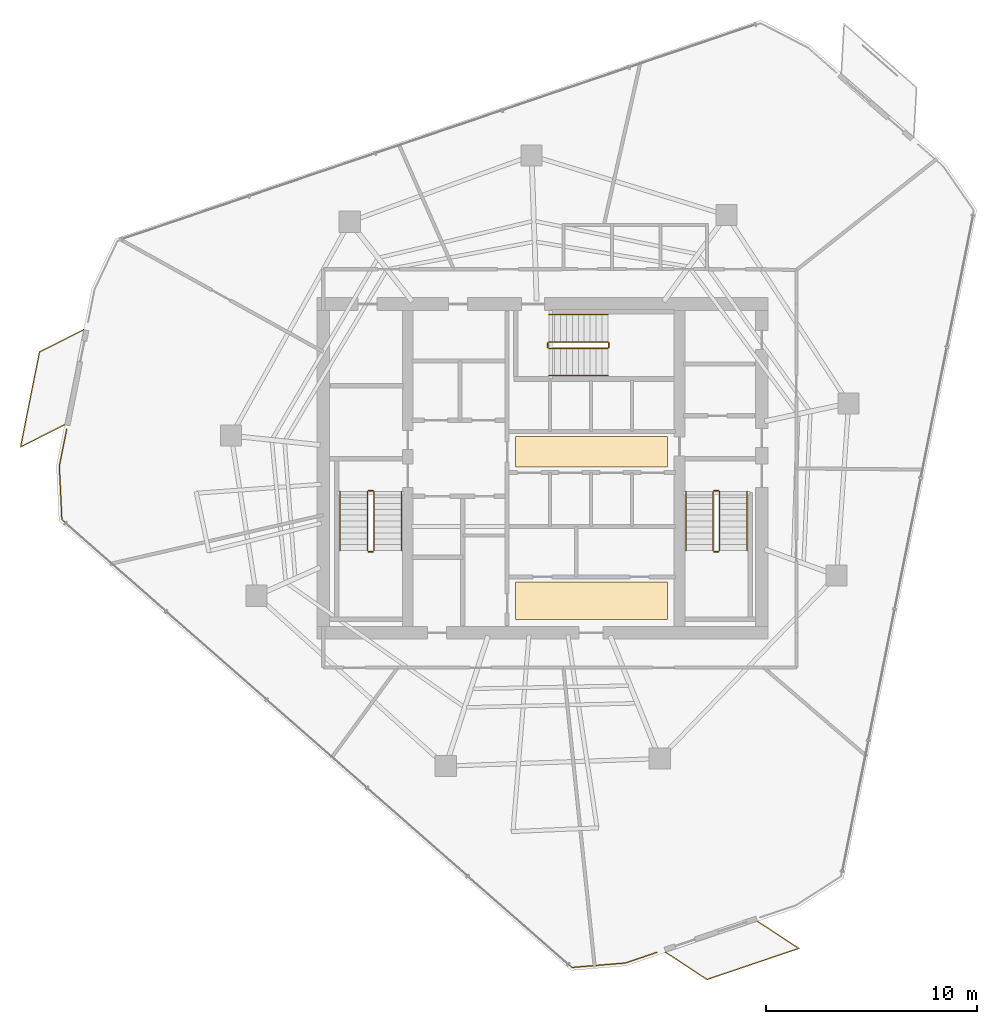
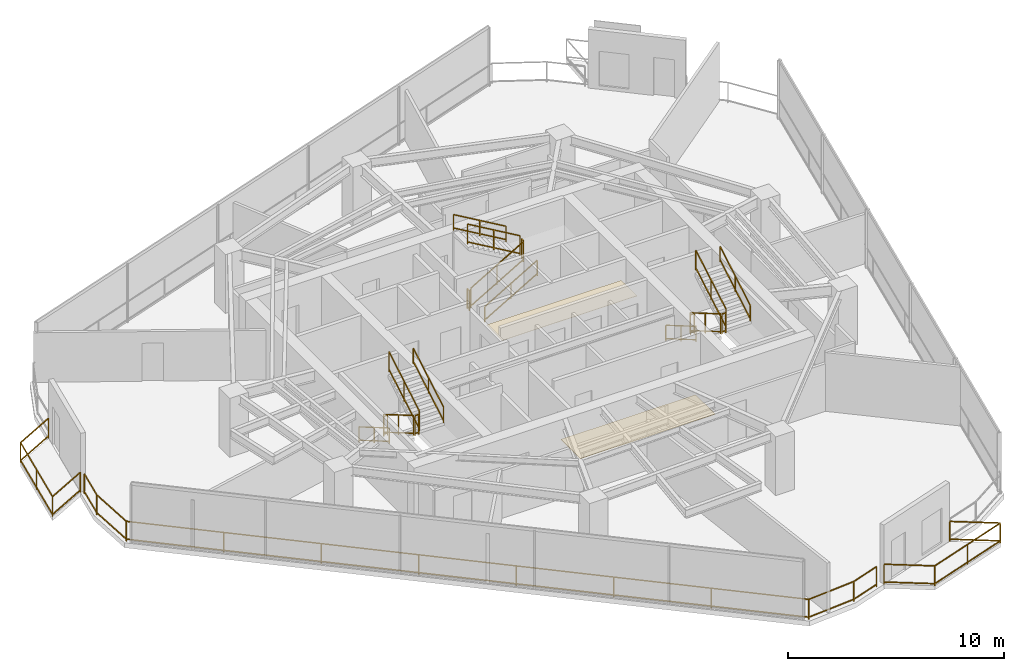
# One storey, part 19 of 20: 21 railings, 2 coverings.
"""IFC4 building model written with IfcOpenShell, lengths in metres."""

from ifc_helpers import new_model, si_unit, direction, frame, origin, origin_2d, place, context, subcontext, project, spatial, rectangle, extrude, material, layer, layer_set, type_object, element, save


model = new_model("IFC4")

# Units and contexts
model_context = context("Model", 3, precision=1e-05, world=origin(), true_north=direction((0.0, 1.0)))
body_context = subcontext(model_context, "Body", "Model", "MODEL_VIEW")
ifc_project = project(units=[si_unit("LENGTHUNIT", "METRE"), si_unit("AREAUNIT", "SQUARE_METRE"), si_unit("VOLUMEUNIT", "CUBIC_METRE"), si_unit("PLANEANGLEUNIT", "RADIAN"), si_unit("MASSUNIT", "GRAM", prefix="KILO")], contexts=[model_context])

# Site, building, storey
site_placement = place(None, origin())
site = spatial("IfcSite", under=ifc_project, at=site_placement, CompositionType="ELEMENT")
building_placement = place(site_placement, origin())
building = spatial("IfcBuilding", under=site, at=building_placement, Name="Qarnah Convention Tower", CompositionType="ELEMENT")
storey_placement = place(building_placement, frame((0.0, 0.0, 136.5)))
storey = spatial("IfcBuildingStorey", under=building, at=storey_placement, Name="L36", CompositionType="ELEMENT", Elevation=136.5)

# Coverings
ifc_material_1 = material(Name="Mineral fibre acoustic ceiling")
ifc_layer_1 = layer(ifc_material_1, 0.02001953125)
ifc_layer_set_1 = layer_set([ifc_layer_1], Name="Mineral fibre acoustic ceiling")
covering_type_1 = type_object("IfcCoveringType", Name="COV-CEIL-20", PredefinedType="CEILING", material=ifc_layer_set_1)
covering_1_placement = place(storey_placement, frame((39.52001953125, 27.179931640625, 2.2900390625), z_axis=(0.0, 0.0, 1.0), x_axis=(1.0, 0.0, 0.0)))
element("IfcCovering", 1, at=covering_1_placement, inside=storey, type_object=covering_type_1, Name="L36 lift lobby acoustic ceiling", PredefinedType="CEILING", context=body_context, shape_type="SweptSolid", body=[
    extrude(rectangle(XDim=7.199951171875, YDim=1.449951171875, at=origin_2d()), origin(), (0.0, 0.0, 1.0), 0.02001953125),
])
ifc_material_2 = material(Name="Porcelain stone floor tile", Category="masonry")
ifc_layer_2 = layer(ifc_material_2, 0.02001953125)
ifc_layer_set_2 = layer_set([ifc_layer_2], Name="Porcelain stone floor tile")
covering_type_2 = type_object("IfcCoveringType", Name="COV-FLOOR-20", PredefinedType="FLOORING", material=ifc_layer_set_2)
covering_2_placement = place(storey_placement, frame((39.52001953125, 20.1201171875, 0.0), z_axis=(0.0, 0.0, 1.0), x_axis=(1.0, 0.0, 0.0)))
element("IfcCovering", 2, at=covering_2_placement, inside=storey, type_object=covering_type_2, Name="L36 lift lobby porcelain stone flooring", PredefinedType="FLOORING", context=body_context, shape_type="SweptSolid", body=[
    extrude(rectangle(XDim=7.199951171875, YDim=1.800048828125, at=origin_2d()), origin(), (0.0, 0.0, 1.0), 0.02001953125),
])

# Railings
ifc_material_3 = material(Name="Black anodised aluminium", Category="aluminium")
railing_type_1 = type_object("IfcRailingType", Name="RL-EXT-GUARD-1150", PredefinedType="GUARDRAIL", material=ifc_material_3)
railing_1_placement = place(storey_placement, frame((42.636962890625, 3.444091796875, 0.0)))
element("IfcRailing", 3, at=railing_1_placement, inside=storey, type_object=railing_type_1, Name="L36 slab-edge perimeter safety guard 03", PredefinedType="GUARDRAIL", context=body_context, shape_type="SweptSolid", body=[
    extrude(rectangle(XDim=0.048095703125, YDim=0.048095703125, at=origin_2d()), frame((0.0, 0.0, 1.1259765625), z_axis=(-0.947107749173, -0.320915738873, 0.0), x_axis=(0.320915738873, -0.947107749173, 0.0)), (0.0, 0.0, 1.0), 1.59228515625),
    extrude(rectangle(XDim=0.048095703125, YDim=0.048095703125, at=origin_2d()), frame((0.0, 0.0, 0.1201171875), z_axis=(-0.947107749173, -0.320915738873, 0.0), x_axis=(0.320915738873, -0.947107749173, 0.0)), (0.0, 0.0, 1.0), 1.59228515625),
    extrude(rectangle(XDim=0.048095703125, YDim=0.048095703125, at=origin_2d()), frame((-1.508056640625, -0.510986328125, 1.1259765625), z_axis=(-0.996581607262, -0.08261416384, 0.0), x_axis=(0.08261416384, -0.996581607262, 0.0)), (0.0, 0.0, 1.0), 2.529541015625),
    extrude(rectangle(XDim=0.048095703125, YDim=0.048095703125, at=origin_2d()), frame((-1.508056640625, -0.510986328125, 0.1201171875), z_axis=(-0.996581607262, -0.08261416384, 0.0), x_axis=(0.08261416384, -0.996581607262, 0.0)), (0.0, 0.0, 1.0), 2.529541015625),
    extrude(rectangle(XDim=0.048095703125, YDim=0.048095703125, at=origin_2d()), frame((-4.029052734375, -0.719970703125, 1.1259765625), z_axis=(-0.751495940926, 0.659737713619, 0.0), x_axis=(-0.659737713619, -0.751495940926, 0.0)), (0.0, 0.0, 1.0), 32.215576171875),
    extrude(rectangle(XDim=0.048095703125, YDim=0.048095703125, at=origin_2d()), frame((-4.029052734375, -0.719970703125, 0.1201171875), z_axis=(-0.751495940926, 0.659737713619, 0.0), x_axis=(-0.659737713619, -0.751495940926, 0.0)), (0.0, 0.0, 1.0), 32.215576171875),
    extrude(rectangle(XDim=0.048095703125, YDim=0.048095703125, at=origin_2d()), frame((-28.239013671875, 20.533935546875, 1.1259765625), z_axis=(-0.047386321634, 0.998876637289, 0.0), x_axis=(-0.998876637289, -0.047386321634, 0.0)), (0.0, 0.0, 1.0), 2.52978515625),
    extrude(rectangle(XDim=0.048095703125, YDim=0.048095703125, at=origin_2d()), frame((-28.239013671875, 20.533935546875, 0.1201171875), z_axis=(-0.047386321634, 0.998876637289, 0.0), x_axis=(-0.998876637289, -0.047386321634, 0.0)), (0.0, 0.0, 1.0), 2.52978515625),
    extrude(rectangle(XDim=0.048095703125, YDim=0.048095703125, at=origin_2d()), frame((-28.35888671875, 23.060791015625, 1.1259765625), z_axis=(0.195048784668, 0.980793541781, 0.0), x_axis=(-0.980793541781, 0.195048784668, 0.0)), (0.0, 0.0, 1.0), 1.8037109375),
    extrude(rectangle(XDim=0.048095703125, YDim=0.048095703125, at=origin_2d()), frame((-28.35888671875, 23.060791015625, 0.1201171875), z_axis=(0.195048784668, 0.980793541781, 0.0), x_axis=(-0.980793541781, 0.195048784668, 0.0)), (0.0, 0.0, 1.0), 1.8037109375),
    extrude(rectangle(XDim=0.0419921875, YDim=0.0419921875, at=origin_2d()), origin(), (0.0, 0.0, 1.0), 1.101806640625),
    extrude(rectangle(XDim=0.0419921875, YDim=0.0419921875, at=origin_2d()), frame((-1.508056640625, -0.510986328125, 0.0)), (0.0, 0.0, 1.0), 1.101806640625),
    extrude(rectangle(XDim=0.0419921875, YDim=0.0419921875, at=origin_2d()), frame((-4.029052734375, -0.719970703125, 0.0)), (0.0, 0.0, 1.0), 1.101806640625),
    extrude(rectangle(XDim=0.0419921875, YDim=0.0419921875, at=origin_2d()), frame((-7.487548828125, 2.31640625, 0.0)), (0.0, 0.0, 1.0), 1.101806640625),
    extrude(rectangle(XDim=0.0419921875, YDim=0.0419921875, at=origin_2d()), frame((-10.9462890625, 5.3525390625, 0.0)), (0.0, 0.0, 1.0), 1.101806640625),
    extrude(rectangle(XDim=0.0419921875, YDim=0.0419921875, at=origin_2d()), frame((-14.40478515625, 8.388916015625, 0.0)), (0.0, 0.0, 1.0), 1.101806640625),
    extrude(rectangle(XDim=0.0419921875, YDim=0.0419921875, at=origin_2d()), frame((-17.86328125, 11.425048828125, 0.0)), (0.0, 0.0, 1.0), 1.101806640625),
    extrude(rectangle(XDim=0.0419921875, YDim=0.0419921875, at=origin_2d()), frame((-21.32177734375, 14.46142578125, 0.0)), (0.0, 0.0, 1.0), 1.101806640625),
    extrude(rectangle(XDim=0.0419921875, YDim=0.0419921875, at=origin_2d()), frame((-24.780517578125, 17.49755859375, 0.0)), (0.0, 0.0, 1.0), 1.101806640625),
    extrude(rectangle(XDim=0.0419921875, YDim=0.0419921875, at=origin_2d()), frame((-28.239013671875, 20.533935546875, 0.0)), (0.0, 0.0, 1.0), 1.101806640625),
    extrude(rectangle(XDim=0.0419921875, YDim=0.0419921875, at=origin_2d()), frame((-28.35888671875, 23.060791015625, 0.0)), (0.0, 0.0, 1.0), 1.101806640625),
    extrude(rectangle(XDim=0.0419921875, YDim=0.0419921875, at=origin_2d()), frame((-28.007080078125, 24.829833984375, 0.0)), (0.0, 0.0, 1.0), 1.101806640625),
])
railing_2_placement = place(storey_placement, frame((14.531982421875, 28.470947265625, 0.0)))
element("IfcRailing", 4, at=railing_2_placement, inside=storey, type_object=railing_type_1, Name="L36 balcony safety guard BAL-L36-C2", PredefinedType="GUARDRAIL", context=body_context, shape_type="SweptSolid", body=[
    extrude(rectangle(XDim=0.048095703125, YDim=0.048095703125, at=origin_2d()), frame((0.0, 0.0, 1.1259765625), z_axis=(-0.893154935619, -0.449749108925, 0.0), x_axis=(0.449749108925, -0.893154935619, 0.0)), (0.0, 0.0, 1.0), 2.34765625),
    extrude(rectangle(XDim=0.048095703125, YDim=0.048095703125, at=origin_2d()), frame((0.0, 0.0, 0.1201171875), z_axis=(-0.893154935619, -0.449749108925, 0.0), x_axis=(0.449749108925, -0.893154935619, 0.0)), (0.0, 0.0, 1.0), 2.34765625),
    extrude(rectangle(XDim=0.048095703125, YDim=0.048095703125, at=origin_2d()), frame((-2.096923828125, -1.055908203125, 1.1259765625), z_axis=(0.195595667439, 0.980684625595, 0.0), x_axis=(-0.980684625595, 0.195595667439, 0.0)), (0.0, 0.0, 1.0), 4.600830078125),
    extrude(rectangle(XDim=0.048095703125, YDim=0.048095703125, at=origin_2d()), frame((-2.096923828125, -1.055908203125, 0.1201171875), z_axis=(0.195595667439, 0.980684625595, 0.0), x_axis=(-0.980684625595, 0.195595667439, 0.0)), (0.0, 0.0, 1.0), 4.600830078125),
    extrude(rectangle(XDim=0.048095703125, YDim=0.048095703125, at=origin_2d()), frame((-1.197021484375, 3.4560546875, 1.1259765625), z_axis=(0.89332199169, 0.449417199452, 0.0), x_axis=(-0.449417199452, 0.89332199169, 0.0)), (0.0, 0.0, 1.0), 2.347412109375),
    extrude(rectangle(XDim=0.048095703125, YDim=0.048095703125, at=origin_2d()), frame((-1.197021484375, 3.4560546875, 0.1201171875), z_axis=(0.89332199169, 0.449417199452, 0.0), x_axis=(-0.449417199452, 0.89332199169, 0.0)), (0.0, 0.0, 1.0), 2.347412109375),
    extrude(rectangle(XDim=0.0419921875, YDim=0.0419921875, at=origin_2d()), origin(), (0.0, 0.0, 1.0), 1.101806640625),
    extrude(rectangle(XDim=0.0419921875, YDim=0.0419921875, at=origin_2d()), frame((-2.096923828125, -1.055908203125, 0.0)), (0.0, 0.0, 1.0), 1.101806640625),
    extrude(rectangle(XDim=0.0419921875, YDim=0.0419921875, at=origin_2d()), frame((-1.64697265625, 1.2001953125, 0.0)), (0.0, 0.0, 1.0), 1.101806640625),
    extrude(rectangle(XDim=0.0419921875, YDim=0.0419921875, at=origin_2d()), frame((-1.197021484375, 3.4560546875, 0.0)), (0.0, 0.0, 1.0), 1.101806640625),
    extrude(rectangle(XDim=0.0419921875, YDim=0.0419921875, at=origin_2d()), frame((0.89990234375, 4.510986328125, 0.0)), (0.0, 0.0, 1.0), 1.101806640625),
])
railing_3_placement = place(storey_placement, frame((47.402099609375, 4.916015625, 0.0)))
element("IfcRailing", 5, at=railing_3_placement, inside=storey, type_object=railing_type_1, Name="L36 balcony safety guard BAL-L36-C3", PredefinedType="GUARDRAIL", context=body_context, shape_type="SweptSolid", body=[
    extrude(rectangle(XDim=0.048095703125, YDim=0.048095703125, at=origin_2d()), frame((0.0, 0.0, 1.1259765625), z_axis=(0.835869034479, -0.548928918166, 0.0), x_axis=(0.548928918166, 0.835869034479, 0.0)), (0.0, 0.0, 1.0), 2.348388671875),
    extrude(rectangle(XDim=0.048095703125, YDim=0.048095703125, at=origin_2d()), frame((0.0, 0.0, 0.1201171875), z_axis=(0.835869034479, -0.548928918166, 0.0), x_axis=(0.548928918166, 0.835869034479, 0.0)), (0.0, 0.0, 1.0), 2.348388671875),
    extrude(rectangle(XDim=0.048095703125, YDim=0.048095703125, at=origin_2d()), frame((1.962890625, -1.2890625, 1.1259765625), z_axis=(-0.947122205073, -0.320873072502, 0.0), x_axis=(0.320873072502, -0.947122205073, 0.0)), (0.0, 0.0, 1.0), 4.60009765625),
    extrude(rectangle(XDim=0.048095703125, YDim=0.048095703125, at=origin_2d()), frame((1.962890625, -1.2890625, 0.1201171875), z_axis=(-0.947122205073, -0.320873072502, 0.0), x_axis=(0.320873072502, -0.947122205073, 0.0)), (0.0, 0.0, 1.0), 4.60009765625),
    extrude(rectangle(XDim=0.048095703125, YDim=0.048095703125, at=origin_2d()), frame((-2.39404296875, -2.76513671875, 1.1259765625), z_axis=(-0.83609113207, 0.548590574904, 0.0), x_axis=(-0.548590574904, -0.83609113207, 0.0)), (0.0, 0.0, 1.0), 2.347900390625),
    extrude(rectangle(XDim=0.048095703125, YDim=0.048095703125, at=origin_2d()), frame((-2.39404296875, -2.76513671875, 0.1201171875), z_axis=(-0.83609113207, 0.548590574904, 0.0), x_axis=(-0.548590574904, -0.83609113207, 0.0)), (0.0, 0.0, 1.0), 2.347900390625),
    extrude(rectangle(XDim=0.0419921875, YDim=0.0419921875, at=origin_2d()), origin(), (0.0, 0.0, 1.0), 1.101806640625),
    extrude(rectangle(XDim=0.0419921875, YDim=0.0419921875, at=origin_2d()), frame((1.962890625, -1.2890625, 0.0)), (0.0, 0.0, 1.0), 1.101806640625),
    extrude(rectangle(XDim=0.0419921875, YDim=0.0419921875, at=origin_2d()), frame((-0.215576171875, -2.027099609375, 0.0)), (0.0, 0.0, 1.0), 1.101806640625),
    extrude(rectangle(XDim=0.0419921875, YDim=0.0419921875, at=origin_2d()), frame((-2.39404296875, -2.76513671875, 0.0)), (0.0, 0.0, 1.0), 1.101806640625),
    extrude(rectangle(XDim=0.0419921875, YDim=0.0419921875, at=origin_2d()), frame((-4.357177734375, -1.47705078125, 0.0)), (0.0, 0.0, 1.0), 1.101806640625),
])
ifc_material_4 = material(Name="Structural steel S355JR", Category="steel")
railing_type_2 = type_object("IfcRailingType", Name="RL-STAIR-GUARD-1150", PredefinedType="GUARDRAIL", material=ifc_material_4)
railing_4_placement = place(storey_placement, frame((28.89990234375, 25.300048828125, 0.16357421875)))
element("IfcRailing", 6, at=railing_4_placement, inside=storey, type_object=railing_type_2, Name="L36 ST-1 stair guard 1", PredefinedType="GUARDRAIL", context=body_context, shape_type="SweptSolid", body=[
    extrude(rectangle(XDim=0.048095703125, YDim=0.048095703125, at=origin_2d()), frame((0.0, 0.0, 1.1259765625), z_axis=(0.0, -0.863360870873, 0.504586966384), x_axis=(1.0, 0.0, 0.0)), (0.0, 0.0, 1.0), 3.2431640625),
    extrude(rectangle(XDim=0.048095703125, YDim=0.048095703125, at=origin_2d()), frame((0.0, 0.0, 0.1201171875), z_axis=(0.0, -0.863360870873, 0.504586966384), x_axis=(1.0, 0.0, 0.0)), (0.0, 0.0, 1.0), 3.2431640625),
    extrude(rectangle(XDim=0.0419921875, YDim=0.0419921875, at=origin_2d()), origin(), (0.0, 0.0, 1.0), 1.101806640625),
    extrude(rectangle(XDim=0.0419921875, YDim=0.0419921875, at=origin_2d()), frame((0.0, -1.39990234375, 0.818359375)), (0.0, 0.0, 1.0), 1.101806640625),
    extrude(rectangle(XDim=0.0419921875, YDim=0.0419921875, at=origin_2d()), frame((0.0, -2.800048828125, 1.636474609375)), (0.0, 0.0, 1.0), 1.101806640625),
])
railing_5_placement = place(storey_placement, frame((28.949951171875, 22.449951171875, 1.800048828125)))
element("IfcRailing", 7, at=railing_5_placement, inside=storey, type_object=railing_type_2, Name="L36 ST-1 stair guard 2", PredefinedType="GUARDRAIL", context=body_context, shape_type="SweptSolid", body=[
    extrude(rectangle(XDim=0.048095703125, YDim=0.048095703125, at=origin_2d()), frame((0.0, 0.0, 1.1259765625), z_axis=(1.0, 0.0, 0.0), x_axis=(0.0, 1.0, 0.0)), (0.0, 0.0, 1.0), 0.199951171875),
    extrude(rectangle(XDim=0.048095703125, YDim=0.048095703125, at=origin_2d()), frame((0.0, 0.0, 0.1201171875), z_axis=(1.0, 0.0, 0.0), x_axis=(0.0, 1.0, 0.0)), (0.0, 0.0, 1.0), 0.199951171875),
    extrude(rectangle(XDim=0.0419921875, YDim=0.0419921875, at=origin_2d()), origin(), (0.0, 0.0, 1.0), 1.101806640625),
    extrude(rectangle(XDim=0.0419921875, YDim=0.0419921875, at=origin_2d()), frame((0.199951171875, 0.0, 0.0)), (0.0, 0.0, 1.0), 1.101806640625),
])
railing_6_placement = place(storey_placement, frame((29.199951171875, 22.5, 1.963623046875)))
element("IfcRailing", 8, at=railing_6_placement, inside=storey, type_object=railing_type_2, Name="L36 ST-1 stair guard 3", PredefinedType="GUARDRAIL", context=body_context, shape_type="SweptSolid", body=[
    extrude(rectangle(XDim=0.048095703125, YDim=0.048095703125, at=origin_2d()), frame((0.0, 0.0, 1.1259765625), z_axis=(0.0, 0.863360870873, 0.504586966384), x_axis=(-1.0, 0.0, 0.0)), (0.0, 0.0, 1.0), 3.2431640625),
    extrude(rectangle(XDim=0.048095703125, YDim=0.048095703125, at=origin_2d()), frame((0.0, 0.0, 0.1201171875), z_axis=(0.0, 0.863360870873, 0.504586966384), x_axis=(-1.0, 0.0, 0.0)), (0.0, 0.0, 1.0), 3.2431640625),
    extrude(rectangle(XDim=0.0419921875, YDim=0.0419921875, at=origin_2d()), origin(), (0.0, 0.0, 1.0), 1.101806640625),
    extrude(rectangle(XDim=0.0419921875, YDim=0.0419921875, at=origin_2d()), frame((0.0, 1.39990234375, 0.818359375)), (0.0, 0.0, 1.0), 1.101806640625),
    extrude(rectangle(XDim=0.0419921875, YDim=0.0419921875, at=origin_2d()), frame((0.0, 2.800048828125, 1.636474609375)), (0.0, 0.0, 1.0), 1.101806640625),
])
railing_7_placement = place(storey_placement, frame((28.949951171875, 25.35009765625, 0.0)))
element("IfcRailing", 9, at=railing_7_placement, inside=storey, type_object=railing_type_2, Name="L36 ST-1 stair guard 4", PredefinedType="GUARDRAIL", context=body_context, shape_type="SweptSolid", body=[
    extrude(rectangle(XDim=0.048095703125, YDim=0.048095703125, at=origin_2d()), frame((0.0, 0.0, 1.1259765625), z_axis=(1.0, 0.0, 0.0), x_axis=(0.0, 1.0, 0.0)), (0.0, 0.0, 1.0), 0.199951171875),
    extrude(rectangle(XDim=0.048095703125, YDim=0.048095703125, at=origin_2d()), frame((0.0, 0.0, 0.1201171875), z_axis=(1.0, 0.0, 0.0), x_axis=(0.0, 1.0, 0.0)), (0.0, 0.0, 1.0), 0.199951171875),
    extrude(rectangle(XDim=0.0419921875, YDim=0.0419921875, at=origin_2d()), origin(), (0.0, 0.0, 1.0), 1.101806640625),
    extrude(rectangle(XDim=0.0419921875, YDim=0.0419921875, at=origin_2d()), frame((0.199951171875, 0.0, 0.0)), (0.0, 0.0, 1.0), 1.101806640625),
])
railing_8_placement = place(storey_placement, frame((45.300048828125, 25.300048828125, 0.16357421875)))
element("IfcRailing", 10, at=railing_8_placement, inside=storey, type_object=railing_type_2, Name="L36 ST-2 stair guard 1", PredefinedType="GUARDRAIL", context=body_context, shape_type="SweptSolid", body=[
    extrude(rectangle(XDim=0.048095703125, YDim=0.048095703125, at=origin_2d()), frame((0.0, 0.0, 1.1259765625), z_axis=(0.0, -0.863360870873, 0.504586966384), x_axis=(1.0, 0.0, 0.0)), (0.0, 0.0, 1.0), 3.2431640625),
    extrude(rectangle(XDim=0.048095703125, YDim=0.048095703125, at=origin_2d()), frame((0.0, 0.0, 0.1201171875), z_axis=(0.0, -0.863360870873, 0.504586966384), x_axis=(1.0, 0.0, 0.0)), (0.0, 0.0, 1.0), 3.2431640625),
    extrude(rectangle(XDim=0.0419921875, YDim=0.0419921875, at=origin_2d()), origin(), (0.0, 0.0, 1.0), 1.101806640625),
    extrude(rectangle(XDim=0.0419921875, YDim=0.0419921875, at=origin_2d()), frame((0.0, -1.39990234375, 0.818359375)), (0.0, 0.0, 1.0), 1.101806640625),
    extrude(rectangle(XDim=0.0419921875, YDim=0.0419921875, at=origin_2d()), frame((0.0, -2.800048828125, 1.636474609375)), (0.0, 0.0, 1.0), 1.101806640625),
])
railing_9_placement = place(storey_placement, frame((45.35009765625, 22.449951171875, 1.800048828125)))
element("IfcRailing", 11, at=railing_9_placement, inside=storey, type_object=railing_type_2, Name="L36 ST-2 stair guard 2", PredefinedType="GUARDRAIL", context=body_context, shape_type="SweptSolid", body=[
    extrude(rectangle(XDim=0.048095703125, YDim=0.048095703125, at=origin_2d()), frame((0.0, 0.0, 1.1259765625), z_axis=(1.0, 0.0, 0.0), x_axis=(0.0, 1.0, 0.0)), (0.0, 0.0, 1.0), 0.199951171875),
    extrude(rectangle(XDim=0.048095703125, YDim=0.048095703125, at=origin_2d()), frame((0.0, 0.0, 0.1201171875), z_axis=(1.0, 0.0, 0.0), x_axis=(0.0, 1.0, 0.0)), (0.0, 0.0, 1.0), 0.199951171875),
    extrude(rectangle(XDim=0.0419921875, YDim=0.0419921875, at=origin_2d()), origin(), (0.0, 0.0, 1.0), 1.101806640625),
    extrude(rectangle(XDim=0.0419921875, YDim=0.0419921875, at=origin_2d()), frame((0.199951171875, 0.0, 0.0)), (0.0, 0.0, 1.0), 1.101806640625),
])
railing_10_placement = place(storey_placement, frame((45.60009765625, 22.5, 1.963623046875)))
element("IfcRailing", 12, at=railing_10_placement, inside=storey, type_object=railing_type_2, Name="L36 ST-2 stair guard 3", PredefinedType="GUARDRAIL", context=body_context, shape_type="SweptSolid", body=[
    extrude(rectangle(XDim=0.048095703125, YDim=0.048095703125, at=origin_2d()), frame((0.0, 0.0, 1.1259765625), z_axis=(0.0, 0.863360870873, 0.504586966384), x_axis=(-1.0, 0.0, 0.0)), (0.0, 0.0, 1.0), 3.2431640625),
    extrude(rectangle(XDim=0.048095703125, YDim=0.048095703125, at=origin_2d()), frame((0.0, 0.0, 0.1201171875), z_axis=(0.0, 0.863360870873, 0.504586966384), x_axis=(-1.0, 0.0, 0.0)), (0.0, 0.0, 1.0), 3.2431640625),
    extrude(rectangle(XDim=0.0419921875, YDim=0.0419921875, at=origin_2d()), origin(), (0.0, 0.0, 1.0), 1.101806640625),
    extrude(rectangle(XDim=0.0419921875, YDim=0.0419921875, at=origin_2d()), frame((0.0, 1.39990234375, 0.818359375)), (0.0, 0.0, 1.0), 1.101806640625),
    extrude(rectangle(XDim=0.0419921875, YDim=0.0419921875, at=origin_2d()), frame((0.0, 2.800048828125, 1.636474609375)), (0.0, 0.0, 1.0), 1.101806640625),
])
railing_11_placement = place(storey_placement, frame((45.35009765625, 25.35009765625, 0.0)))
element("IfcRailing", 13, at=railing_11_placement, inside=storey, type_object=railing_type_2, Name="L36 ST-2 stair guard 4", PredefinedType="GUARDRAIL", context=body_context, shape_type="SweptSolid", body=[
    extrude(rectangle(XDim=0.048095703125, YDim=0.048095703125, at=origin_2d()), frame((0.0, 0.0, 1.1259765625), z_axis=(1.0, 0.0, 0.0), x_axis=(0.0, 1.0, 0.0)), (0.0, 0.0, 1.0), 0.199951171875),
    extrude(rectangle(XDim=0.048095703125, YDim=0.048095703125, at=origin_2d()), frame((0.0, 0.0, 0.1201171875), z_axis=(1.0, 0.0, 0.0), x_axis=(0.0, 1.0, 0.0)), (0.0, 0.0, 1.0), 0.199951171875),
    extrude(rectangle(XDim=0.0419921875, YDim=0.0419921875, at=origin_2d()), origin(), (0.0, 0.0, 1.0), 1.101806640625),
    extrude(rectangle(XDim=0.0419921875, YDim=0.0419921875, at=origin_2d()), frame((0.199951171875, 0.0, 0.0)), (0.0, 0.0, 1.0), 1.101806640625),
])
railing_12_placement = place(storey_placement, frame((37.5, 32.10009765625, 0.16357421875)))
element("IfcRailing", 14, at=railing_12_placement, inside=storey, type_object=railing_type_2, Name="L36 ST-3 stair guard 1", PredefinedType="GUARDRAIL", context=body_context, shape_type="SweptSolid", body=[
    extrude(rectangle(XDim=0.048095703125, YDim=0.048095703125, at=origin_2d()), frame((0.0, 0.0, 1.1259765625), z_axis=(0.863360870873, 0.0, 0.504586966384), x_axis=(0.0, 1.0, 0.0)), (0.0, 0.0, 1.0), 3.2431640625),
    extrude(rectangle(XDim=0.048095703125, YDim=0.048095703125, at=origin_2d()), frame((0.0, 0.0, 0.1201171875), z_axis=(0.863360870873, 0.0, 0.504586966384), x_axis=(0.0, 1.0, 0.0)), (0.0, 0.0, 1.0), 3.2431640625),
    extrude(rectangle(XDim=0.0419921875, YDim=0.0419921875, at=origin_2d()), origin(), (0.0, 0.0, 1.0), 1.101806640625),
    extrude(rectangle(XDim=0.0419921875, YDim=0.0419921875, at=origin_2d()), frame((1.39990234375, 0.0, 0.818359375)), (0.0, 0.0, 1.0), 1.101806640625),
    extrude(rectangle(XDim=0.0419921875, YDim=0.0419921875, at=origin_2d()), frame((2.800048828125, 0.0, 1.636474609375)), (0.0, 0.0, 1.0), 1.101806640625),
])
railing_13_placement = place(storey_placement, frame((40.35009765625, 32.14990234375, 1.800048828125)))
element("IfcRailing", 15, at=railing_13_placement, inside=storey, type_object=railing_type_2, Name="L36 ST-3 stair guard 2", PredefinedType="GUARDRAIL", context=body_context, shape_type="SweptSolid", body=[
    extrude(rectangle(XDim=0.048095703125, YDim=0.048095703125, at=origin_2d()), frame((0.0, 0.0, 1.1259765625), z_axis=(0.0, 1.0, 0.0), x_axis=(-1.0, 0.0, 0.0)), (0.0, 0.0, 1.0), 0.2001953125),
    extrude(rectangle(XDim=0.048095703125, YDim=0.048095703125, at=origin_2d()), frame((0.0, 0.0, 0.1201171875), z_axis=(0.0, 1.0, 0.0), x_axis=(-1.0, 0.0, 0.0)), (0.0, 0.0, 1.0), 0.2001953125),
    extrude(rectangle(XDim=0.0419921875, YDim=0.0419921875, at=origin_2d()), origin(), (0.0, 0.0, 1.0), 1.101806640625),
    extrude(rectangle(XDim=0.0419921875, YDim=0.0419921875, at=origin_2d()), frame((0.0, 0.2001953125, 0.0)), (0.0, 0.0, 1.0), 1.101806640625),
])
railing_14_placement = place(storey_placement, frame((40.300048828125, 32.39990234375, 1.963623046875)))
element("IfcRailing", 16, at=railing_14_placement, inside=storey, type_object=railing_type_2, Name="L36 ST-3 stair guard 3", PredefinedType="GUARDRAIL", context=body_context, shape_type="SweptSolid", body=[
    extrude(rectangle(XDim=0.048095703125, YDim=0.048095703125, at=origin_2d()), frame((0.0, 0.0, 1.1259765625), z_axis=(-0.863360870873, 0.0, 0.504586966384), x_axis=(0.0, -1.0, 0.0)), (0.0, 0.0, 1.0), 3.2431640625),
    extrude(rectangle(XDim=0.048095703125, YDim=0.048095703125, at=origin_2d()), frame((0.0, 0.0, 0.1201171875), z_axis=(-0.863360870873, 0.0, 0.504586966384), x_axis=(0.0, -1.0, 0.0)), (0.0, 0.0, 1.0), 3.2431640625),
    extrude(rectangle(XDim=0.0419921875, YDim=0.0419921875, at=origin_2d()), origin(), (0.0, 0.0, 1.0), 1.101806640625),
    extrude(rectangle(XDim=0.0419921875, YDim=0.0419921875, at=origin_2d()), frame((-1.39990234375, 0.0, 0.818359375)), (0.0, 0.0, 1.0), 1.101806640625),
    extrude(rectangle(XDim=0.0419921875, YDim=0.0419921875, at=origin_2d()), frame((-2.800048828125, 0.0, 1.636474609375)), (0.0, 0.0, 1.0), 1.101806640625),
])
railing_15_placement = place(storey_placement, frame((37.449951171875, 32.14990234375, 0.0)))
element("IfcRailing", 17, at=railing_15_placement, inside=storey, type_object=railing_type_2, Name="L36 ST-3 stair guard 4", PredefinedType="GUARDRAIL", context=body_context, shape_type="SweptSolid", body=[
    extrude(rectangle(XDim=0.048095703125, YDim=0.048095703125, at=origin_2d()), frame((0.0, 0.0, 1.1259765625), z_axis=(0.0, 1.0, 0.0), x_axis=(-1.0, 0.0, 0.0)), (0.0, 0.0, 1.0), 0.2001953125),
    extrude(rectangle(XDim=0.048095703125, YDim=0.048095703125, at=origin_2d()), frame((0.0, 0.0, 0.1201171875), z_axis=(0.0, 1.0, 0.0), x_axis=(-1.0, 0.0, 0.0)), (0.0, 0.0, 1.0), 0.2001953125),
    extrude(rectangle(XDim=0.0419921875, YDim=0.0419921875, at=origin_2d()), origin(), (0.0, 0.0, 1.0), 1.101806640625),
    extrude(rectangle(XDim=0.0419921875, YDim=0.0419921875, at=origin_2d()), frame((0.0, 0.2001953125, 0.0)), (0.0, 0.0, 1.0), 1.101806640625),
])
railing_type_3 = type_object("IfcRailingType", Name="RL-STAIR-HAND-900", PredefinedType="HANDRAIL", material=ifc_material_4)
railing_16_placement = place(storey_placement, frame((27.60009765625, 25.300048828125, 0.16357421875)))
element("IfcRailing", 18, at=railing_16_placement, inside=storey, type_object=railing_type_3, Name="L36 ST-1 stair handrail 1", PredefinedType="HANDRAIL", context=body_context, shape_type="SweptSolid", body=[
    extrude(rectangle(XDim=0.048095703125, YDim=0.048095703125, at=origin_2d()), frame((0.0, 0.0, 0.8759765625), z_axis=(0.0, -0.863360870873, 0.504586966384), x_axis=(1.0, 0.0, 0.0)), (0.0, 0.0, 1.0), 3.2431640625),
    extrude(rectangle(XDim=0.048095703125, YDim=0.048095703125, at=origin_2d()), frame((0.0, 0.0, 0.1201171875), z_axis=(0.0, -0.863360870873, 0.504586966384), x_axis=(1.0, 0.0, 0.0)), (0.0, 0.0, 1.0), 3.2431640625),
    extrude(rectangle(XDim=0.0419921875, YDim=0.0419921875, at=origin_2d()), origin(), (0.0, 0.0, 1.0), 0.851806640625),
    extrude(rectangle(XDim=0.0419921875, YDim=0.0419921875, at=origin_2d()), frame((0.0, -1.39990234375, 0.818359375)), (0.0, 0.0, 1.0), 0.851806640625),
    extrude(rectangle(XDim=0.0419921875, YDim=0.0419921875, at=origin_2d()), frame((0.0, -2.800048828125, 1.636474609375)), (0.0, 0.0, 1.0), 0.851806640625),
])
railing_17_placement = place(storey_placement, frame((30.5, 22.5, 1.963623046875)))
element("IfcRailing", 19, at=railing_17_placement, inside=storey, type_object=railing_type_3, Name="L36 ST-1 stair handrail 2", PredefinedType="HANDRAIL", context=body_context, shape_type="SweptSolid", body=[
    extrude(rectangle(XDim=0.048095703125, YDim=0.048095703125, at=origin_2d()), frame((0.0, 0.0, 0.8759765625), z_axis=(0.0, 0.863360870873, 0.504586966384), x_axis=(-1.0, 0.0, 0.0)), (0.0, 0.0, 1.0), 3.2431640625),
    extrude(rectangle(XDim=0.048095703125, YDim=0.048095703125, at=origin_2d()), frame((0.0, 0.0, 0.1201171875), z_axis=(0.0, 0.863360870873, 0.504586966384), x_axis=(-1.0, 0.0, 0.0)), (0.0, 0.0, 1.0), 3.2431640625),
    extrude(rectangle(XDim=0.0419921875, YDim=0.0419921875, at=origin_2d()), origin(), (0.0, 0.0, 1.0), 0.851806640625),
    extrude(rectangle(XDim=0.0419921875, YDim=0.0419921875, at=origin_2d()), frame((0.0, 1.39990234375, 0.818359375)), (0.0, 0.0, 1.0), 0.851806640625),
    extrude(rectangle(XDim=0.0419921875, YDim=0.0419921875, at=origin_2d()), frame((0.0, 2.800048828125, 1.636474609375)), (0.0, 0.0, 1.0), 0.851806640625),
])
railing_18_placement = place(storey_placement, frame((44.0, 25.300048828125, 0.16357421875)))
element("IfcRailing", 20, at=railing_18_placement, inside=storey, type_object=railing_type_3, Name="L36 ST-2 stair handrail 1", PredefinedType="HANDRAIL", context=body_context, shape_type="SweptSolid", body=[
    extrude(rectangle(XDim=0.048095703125, YDim=0.048095703125, at=origin_2d()), frame((0.0, 0.0, 0.8759765625), z_axis=(0.0, -0.863360870873, 0.504586966384), x_axis=(1.0, 0.0, 0.0)), (0.0, 0.0, 1.0), 3.2431640625),
    extrude(rectangle(XDim=0.048095703125, YDim=0.048095703125, at=origin_2d()), frame((0.0, 0.0, 0.1201171875), z_axis=(0.0, -0.863360870873, 0.504586966384), x_axis=(1.0, 0.0, 0.0)), (0.0, 0.0, 1.0), 3.2431640625),
    extrude(rectangle(XDim=0.0419921875, YDim=0.0419921875, at=origin_2d()), origin(), (0.0, 0.0, 1.0), 0.851806640625),
    extrude(rectangle(XDim=0.0419921875, YDim=0.0419921875, at=origin_2d()), frame((0.0, -1.39990234375, 0.818359375)), (0.0, 0.0, 1.0), 0.851806640625),
    extrude(rectangle(XDim=0.0419921875, YDim=0.0419921875, at=origin_2d()), frame((0.0, -2.800048828125, 1.636474609375)), (0.0, 0.0, 1.0), 0.851806640625),
])
railing_19_placement = place(storey_placement, frame((46.89990234375, 22.5, 1.963623046875)))
element("IfcRailing", 21, at=railing_19_placement, inside=storey, type_object=railing_type_3, Name="L36 ST-2 stair handrail 2", PredefinedType="HANDRAIL", context=body_context, shape_type="SweptSolid", body=[
    extrude(rectangle(XDim=0.048095703125, YDim=0.048095703125, at=origin_2d()), frame((0.0, 0.0, 0.8759765625), z_axis=(0.0, 0.863360870873, 0.504586966384), x_axis=(-1.0, 0.0, 0.0)), (0.0, 0.0, 1.0), 3.2431640625),
    extrude(rectangle(XDim=0.048095703125, YDim=0.048095703125, at=origin_2d()), frame((0.0, 0.0, 0.1201171875), z_axis=(0.0, 0.863360870873, 0.504586966384), x_axis=(-1.0, 0.0, 0.0)), (0.0, 0.0, 1.0), 3.2431640625),
    extrude(rectangle(XDim=0.0419921875, YDim=0.0419921875, at=origin_2d()), origin(), (0.0, 0.0, 1.0), 0.851806640625),
    extrude(rectangle(XDim=0.0419921875, YDim=0.0419921875, at=origin_2d()), frame((0.0, 1.39990234375, 0.818359375)), (0.0, 0.0, 1.0), 0.851806640625),
    extrude(rectangle(XDim=0.0419921875, YDim=0.0419921875, at=origin_2d()), frame((0.0, 2.800048828125, 1.636474609375)), (0.0, 0.0, 1.0), 0.851806640625),
])
railing_20_placement = place(storey_placement, frame((37.5, 30.800048828125, 0.16357421875)))
element("IfcRailing", 22, at=railing_20_placement, inside=storey, type_object=railing_type_3, Name="L36 ST-3 stair handrail 1", PredefinedType="HANDRAIL", context=body_context, shape_type="SweptSolid", body=[
    extrude(rectangle(XDim=0.048095703125, YDim=0.048095703125, at=origin_2d()), frame((0.0, 0.0, 0.8759765625), z_axis=(0.863360870873, 0.0, 0.504586966384), x_axis=(0.0, 1.0, 0.0)), (0.0, 0.0, 1.0), 3.2431640625),
    extrude(rectangle(XDim=0.048095703125, YDim=0.048095703125, at=origin_2d()), frame((0.0, 0.0, 0.1201171875), z_axis=(0.863360870873, 0.0, 0.504586966384), x_axis=(0.0, 1.0, 0.0)), (0.0, 0.0, 1.0), 3.2431640625),
    extrude(rectangle(XDim=0.0419921875, YDim=0.0419921875, at=origin_2d()), origin(), (0.0, 0.0, 1.0), 0.851806640625),
    extrude(rectangle(XDim=0.0419921875, YDim=0.0419921875, at=origin_2d()), frame((1.39990234375, 0.0, 0.818359375)), (0.0, 0.0, 1.0), 0.851806640625),
    extrude(rectangle(XDim=0.0419921875, YDim=0.0419921875, at=origin_2d()), frame((2.800048828125, 0.0, 1.636474609375)), (0.0, 0.0, 1.0), 0.851806640625),
])
railing_21_placement = place(storey_placement, frame((40.300048828125, 33.699951171875, 1.963623046875)))
element("IfcRailing", 23, at=railing_21_placement, inside=storey, type_object=railing_type_3, Name="L36 ST-3 stair handrail 2", PredefinedType="HANDRAIL", context=body_context, shape_type="SweptSolid", body=[
    extrude(rectangle(XDim=0.048095703125, YDim=0.048095703125, at=origin_2d()), frame((0.0, 0.0, 0.8759765625), z_axis=(-0.863360870873, 0.0, 0.504586966384), x_axis=(0.0, -1.0, 0.0)), (0.0, 0.0, 1.0), 3.2431640625),
    extrude(rectangle(XDim=0.048095703125, YDim=0.048095703125, at=origin_2d()), frame((0.0, 0.0, 0.1201171875), z_axis=(-0.863360870873, 0.0, 0.504586966384), x_axis=(0.0, -1.0, 0.0)), (0.0, 0.0, 1.0), 3.2431640625),
    extrude(rectangle(XDim=0.0419921875, YDim=0.0419921875, at=origin_2d()), origin(), (0.0, 0.0, 1.0), 0.851806640625),
    extrude(rectangle(XDim=0.0419921875, YDim=0.0419921875, at=origin_2d()), frame((-1.39990234375, 0.0, 0.818359375)), (0.0, 0.0, 1.0), 0.851806640625),
    extrude(rectangle(XDim=0.0419921875, YDim=0.0419921875, at=origin_2d()), frame((-2.800048828125, 0.0, 1.636474609375)), (0.0, 0.0, 1.0), 0.851806640625),
])

save(model, "model.ifc")
